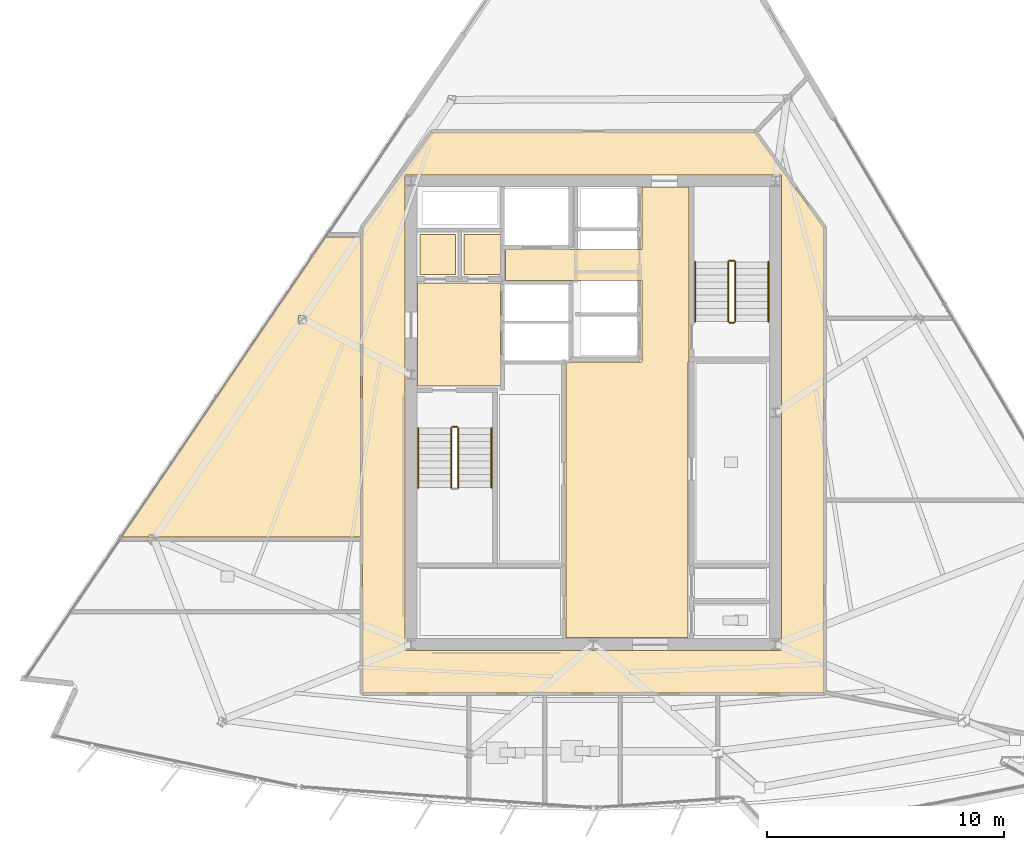
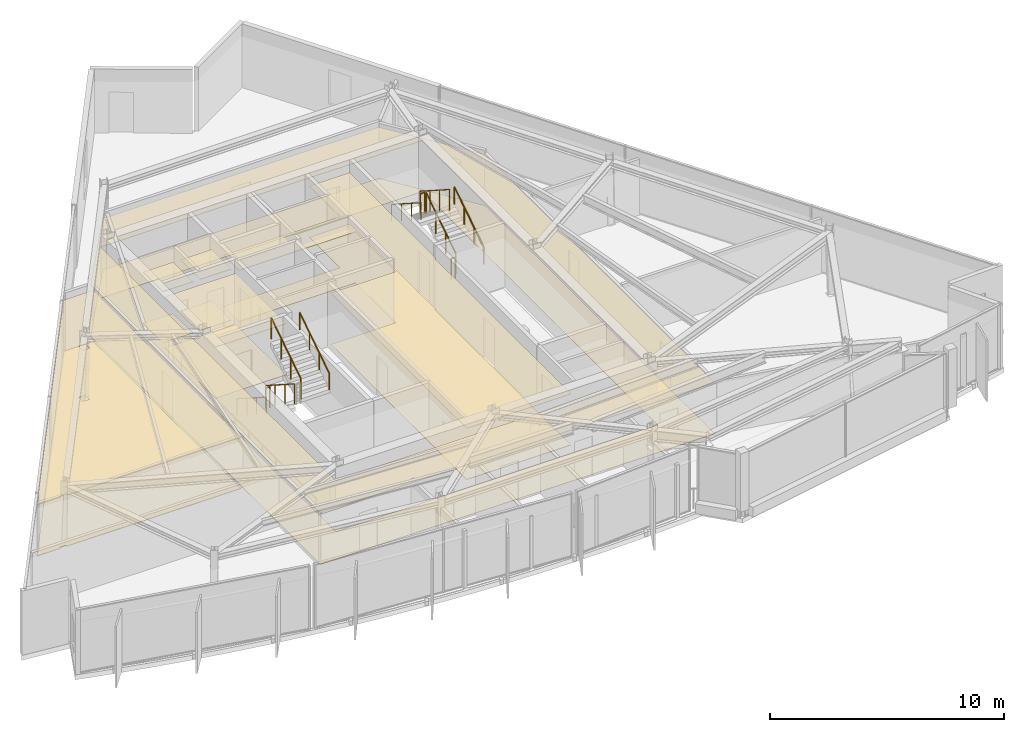
# One storey, part 10 of 12: 12 coverings, 11 railings.
"""IFC4 building model written with IfcOpenShell, lengths in metres."""

from ifc_helpers import new_model, si_unit, direction, frame, origin, origin_2d, place, context, subcontext, project, spatial, polyline, circle, outline, extrude, material, layer, layer_set, type_object, element, save


model = new_model("IFC4")

# Units and contexts
model_context = context("Model", 3, precision=1e-05, world=origin(), true_north=direction((0.0, 1.0)))
body_context = subcontext(model_context, "Body", "Model", "MODEL_VIEW")
ifc_project = project(units=[si_unit("LENGTHUNIT", "METRE"), si_unit("AREAUNIT", "SQUARE_METRE"), si_unit("VOLUMEUNIT", "CUBIC_METRE"), si_unit("PLANEANGLEUNIT", "RADIAN"), si_unit("MASSUNIT", "GRAM", prefix="KILO")], contexts=[model_context])

# Site, building, storey
site_placement = place(None, origin())
site = spatial("IfcSite", under=ifc_project, at=site_placement, CompositionType="ELEMENT")
building_placement = place(site_placement, origin())
building = spatial("IfcBuilding", under=site, at=building_placement, Name="Savorim Split Tower", CompositionType="ELEMENT")
storey_placement = place(building_placement, frame((0.0, 0.0, 261.60009765625)))
storey = spatial("IfcBuildingStorey", under=building, at=storey_placement, Name="L69", CompositionType="ELEMENT", Elevation=261.60009765625)

# Coverings
ifc_material_1 = material(Name="Mineral Fibre Acoustic Ceiling")
ifc_layer_1 = layer(ifc_material_1, 0.02490234375)
ifc_layer_set_1 = layer_set([ifc_layer_1], Name="COV-CEIL-25")
covering_type_1 = type_object("IfcCoveringType", Name="COV-CEIL-25", PredefinedType="CEILING", material=ifc_layer_set_1)
covering_1_placement = place(storey_placement, frame((0.0, 0.0, 2.669921875)))
element("IfcCovering", 1, at=covering_1_placement, inside=storey, type_object=covering_type_1, Name="L69 Firefighting Lift Lobby Acoustic Ceiling", PredefinedType="CEILING", context=body_context, shape_type="SweptSolid", body=[
    extrude(outline(polyline([(-7.429931640625, 5.8701171875), (-7.429931640625, 1.530029296875), (-3.929931640625, 1.530029296875), (-3.929931640625, 5.8701171875), (-7.429931640625, 5.8701171875)])), origin(), (0.0, 0.0, 1.0), 0.02490234375),
])
covering_2_placement = place(storey_placement, frame((0.0, 0.0, 2.669921875)))
element("IfcCovering", 2, at=covering_2_placement, inside=storey, type_object=covering_type_1, Name="L69 Electrical Riser Acoustic Ceiling", PredefinedType="CEILING", context=body_context, shape_type="SweptSolid", body=[
    extrude(outline(polyline([(-7.320068359375, 7.919921875), (-7.320068359375, 6.22998046875), (-5.830078125, 6.22998046875), (-5.830078125, 7.919921875), (-7.320068359375, 7.919921875)])), origin(), (0.0, 0.0, 1.0), 0.02490234375),
])
covering_3_placement = place(storey_placement, frame((0.0, 0.0, 2.669921875)))
element("IfcCovering", 3, at=covering_3_placement, inside=storey, type_object=covering_type_1, Name="L69 Telecom Riser Acoustic Ceiling", PredefinedType="CEILING", context=body_context, shape_type="SweptSolid", body=[
    extrude(outline(polyline([(-5.469970703125, 7.919921875), (-5.469970703125, 6.22998046875), (-3.929931640625, 6.22998046875), (-3.929931640625, 7.919921875), (-5.469970703125, 7.919921875)])), origin(), (0.0, 0.0, 1.0), 0.02490234375),
])
covering_4_placement = place(storey_placement, frame((0.0, 0.0, 2.669921875)))
element("IfcCovering", 4, at=covering_4_placement, inside=storey, type_object=covering_type_1, Name="L69 Lift Lobby Acoustic Ceiling", PredefinedType="CEILING", context=body_context, shape_type="SweptSolid", body=[
    extrude(outline(polyline([(2.050048828125, 2.550048828125), (-1.14990234375, 2.550048828125), (-1.14990234375, -9.10009765625), (4.0, -9.10009765625), (4.0, 2.550048828125), (4.050048828125, 2.550048828125), (4.050048828125, 5.97998046875), (4.050048828125, 7.300048828125), (4.050048828125, 9.929931640625), (2.050048828125, 9.929931640625), (2.050048828125, 7.300048828125), (-3.699951171875, 7.300048828125), (-3.699951171875, 5.97998046875), (2.050048828125, 5.97998046875), (2.050048828125, 2.550048828125)])), origin(), (0.0, 0.0, 1.0), 0.02490234375),
])
covering_5_placement = place(storey_placement, frame((0.0, 0.0, 2.669921875)))
element("IfcCovering", 5, at=covering_5_placement, inside=storey, type_object=covering_type_1, Name="L69 Corridor Acoustic Ceiling", PredefinedType="CEILING", context=body_context, shape_type="SweptSolid", body=[
    extrude(outline(polyline([(6.809326171875, 12.2490234375), (6.8046875, 12.249755859375), (6.800048828125, 12.25), (-6.800048828125, 12.25), (-6.8046875, 12.249755859375), (-6.809326171875, 12.2490234375), (-6.81396484375, 12.248046875), (-6.818359375, 12.24658203125), (-6.82275390625, 12.244384765625), (-6.826904296875, 12.2421875), (-6.830810546875, 12.239501953125), (-6.834228515625, 12.236328125), (-6.83740234375, 12.23291015625), (-6.840576171875, 12.229248046875), (-9.740478515625, 8.229248046875), (-9.743408203125, 8.22509765625), (-9.74560546875, 8.22021484375), (-9.74755859375, 8.21533203125), (-9.748779296875, 8.21044921875), (-9.749755859375, 8.205078125), (-9.75, 8.199951171875), (-9.75, -11.39990234375), (-9.749755859375, -11.40478515625), (-9.7490234375, -11.409912109375), (-9.747802734375, -11.41455078125), (-9.74609375, -11.419189453125), (-9.744140625, -11.423583984375), (-9.74169921875, -11.427734375), (-9.73876953125, -11.431640625), (-9.7353515625, -11.435302734375), (-9.731689453125, -11.438720703125), (-9.727783203125, -11.441650390625), (-9.7236328125, -11.444091796875), (-9.718994140625, -11.4462890625), (-9.714599609375, -11.44775390625), (-9.709716796875, -11.448974609375), (-9.704833984375, -11.44970703125), (-9.699951171875, -11.449951171875), (9.699951171875, -11.449951171875), (9.704833984375, -11.44970703125), (9.709716796875, -11.448974609375), (9.714599609375, -11.44775390625), (9.718994140625, -11.4462890625), (9.7236328125, -11.444091796875), (9.727783203125, -11.441650390625), (9.731689453125, -11.438720703125), (9.7353515625, -11.435302734375), (9.73876953125, -11.431640625), (9.74169921875, -11.427734375), (9.744140625, -11.423583984375), (9.74609375, -11.419189453125), (9.747802734375, -11.41455078125), (9.7490234375, -11.409912109375), (9.749755859375, -11.40478515625), (9.75, -11.39990234375), (9.75, 8.199951171875), (9.749755859375, 8.205078125), (9.748779296875, 8.21044921875), (9.74755859375, 8.21533203125), (9.74560546875, 8.22021484375), (9.743408203125, 8.22509765625), (9.740478515625, 8.229248046875), (6.840576171875, 12.229248046875), (6.83740234375, 12.23291015625), (6.834228515625, 12.236328125), (6.830810546875, 12.239501953125), (6.826904296875, 12.2421875), (6.82275390625, 12.244384765625), (6.818359375, 12.24658203125), (6.81396484375, 12.248046875), (6.809326171875, 12.2490234375)]), holes=[polyline([(-7.949951171875, 10.449951171875), (-7.949951171875, -9.64990234375), (7.949951171875, -9.64990234375), (7.949951171875, 10.449951171875), (-7.949951171875, 10.449951171875)])]), origin(), (0.0, 0.0, 1.0), 0.02490234375),
])
covering_6_placement = place(storey_placement, frame((0.0, 0.0, 2.669921875)))
element("IfcCovering", 6, at=covering_6_placement, inside=storey, type_object=covering_type_1, Name="L69 Co-Working Commons Acoustic Ceiling", PredefinedType="CEILING", context=body_context, shape_type="SweptSolid", body=[
    extrude(outline(polyline([(-18.448486328125, -4.775634765625), (-18.448486328125, -4.855712890625), (-9.840087890625, -4.855712890625), (-9.840087890625, 7.8154296875), (-11.32421875, 7.8154296875), (-19.944091796875, -4.855712890625), (-18.777587890625, -4.855712890625), (-18.777587890625, -4.775634765625), (-18.448486328125, -4.775634765625)]), holes=[polyline([(-12.4609375, 4.509765625), (-12.4609375, 4.15966796875), (-12.1318359375, 4.15966796875), (-12.1318359375, 4.509765625), (-12.4609375, 4.509765625)])]), origin(), (0.0, 0.0, 1.0), 0.02490234375),
])
ifc_material_2 = material(Name="Porcelain Stoneware Flooring", Category="masonry")
ifc_layer_2 = layer(ifc_material_2, 0.02001953125)
ifc_layer_set_2 = layer_set([ifc_layer_2], Name="COV-FLOR-20")
covering_type_2 = type_object("IfcCoveringType", Name="COV-FLOR-20", PredefinedType="FLOORING", material=ifc_layer_set_2)
covering_7_placement = place(storey_placement, origin())
element("IfcCovering", 7, at=covering_7_placement, inside=storey, type_object=covering_type_2, Name="L69 Firefighting Lift Lobby Porcelain Flooring", PredefinedType="FLOORING", context=body_context, shape_type="SweptSolid", body=[
    extrude(outline(polyline([(-7.429931640625, 5.8701171875), (-7.429931640625, 1.530029296875), (-3.929931640625, 1.530029296875), (-3.929931640625, 5.8701171875), (-7.429931640625, 5.8701171875)])), origin(), (0.0, 0.0, 1.0), 0.02001953125),
])
covering_8_placement = place(storey_placement, origin())
element("IfcCovering", 8, at=covering_8_placement, inside=storey, type_object=covering_type_2, Name="L69 Electrical Riser Porcelain Flooring", PredefinedType="FLOORING", context=body_context, shape_type="SweptSolid", body=[
    extrude(outline(polyline([(-7.320068359375, 7.919921875), (-7.320068359375, 6.22998046875), (-5.830078125, 6.22998046875), (-5.830078125, 7.919921875), (-7.320068359375, 7.919921875)])), origin(), (0.0, 0.0, 1.0), 0.02001953125),
])
covering_9_placement = place(storey_placement, origin())
element("IfcCovering", 9, at=covering_9_placement, inside=storey, type_object=covering_type_2, Name="L69 Telecom Riser Porcelain Flooring", PredefinedType="FLOORING", context=body_context, shape_type="SweptSolid", body=[
    extrude(outline(polyline([(-5.469970703125, 7.919921875), (-5.469970703125, 6.22998046875), (-3.929931640625, 6.22998046875), (-3.929931640625, 7.919921875), (-5.469970703125, 7.919921875)])), origin(), (0.0, 0.0, 1.0), 0.02001953125),
])
covering_10_placement = place(storey_placement, origin())
element("IfcCovering", 10, at=covering_10_placement, inside=storey, type_object=covering_type_2, Name="L69 Lift Lobby Porcelain Flooring", PredefinedType="FLOORING", context=body_context, shape_type="SweptSolid", body=[
    extrude(outline(polyline([(2.050048828125, 2.550048828125), (-1.14990234375, 2.550048828125), (-1.14990234375, -9.10009765625), (4.0, -9.10009765625), (4.0, 2.550048828125), (4.050048828125, 2.550048828125), (4.050048828125, 5.97998046875), (4.050048828125, 7.300048828125), (4.050048828125, 9.929931640625), (2.050048828125, 9.929931640625), (2.050048828125, 7.300048828125), (-3.699951171875, 7.300048828125), (-3.699951171875, 5.97998046875), (2.050048828125, 5.97998046875), (2.050048828125, 2.550048828125)])), origin(), (0.0, 0.0, 1.0), 0.02001953125),
])
covering_11_placement = place(storey_placement, origin())
element("IfcCovering", 11, at=covering_11_placement, inside=storey, type_object=covering_type_2, Name="L69 Corridor Porcelain Flooring", PredefinedType="FLOORING", context=body_context, shape_type="SweptSolid", body=[
    extrude(outline(polyline([(6.809326171875, 12.2490234375), (6.8046875, 12.249755859375), (6.800048828125, 12.25), (-6.800048828125, 12.25), (-6.8046875, 12.249755859375), (-6.809326171875, 12.2490234375), (-6.81396484375, 12.248046875), (-6.818359375, 12.24658203125), (-6.82275390625, 12.244384765625), (-6.826904296875, 12.2421875), (-6.830810546875, 12.239501953125), (-6.834228515625, 12.236328125), (-6.83740234375, 12.23291015625), (-6.840576171875, 12.229248046875), (-9.740478515625, 8.229248046875), (-9.743408203125, 8.22509765625), (-9.74560546875, 8.22021484375), (-9.74755859375, 8.21533203125), (-9.748779296875, 8.21044921875), (-9.749755859375, 8.205078125), (-9.75, 8.199951171875), (-9.75, -11.39990234375), (-9.749755859375, -11.40478515625), (-9.7490234375, -11.409912109375), (-9.747802734375, -11.41455078125), (-9.74609375, -11.419189453125), (-9.744140625, -11.423583984375), (-9.74169921875, -11.427734375), (-9.73876953125, -11.431640625), (-9.7353515625, -11.435302734375), (-9.731689453125, -11.438720703125), (-9.727783203125, -11.441650390625), (-9.7236328125, -11.444091796875), (-9.718994140625, -11.4462890625), (-9.714599609375, -11.44775390625), (-9.709716796875, -11.448974609375), (-9.704833984375, -11.44970703125), (-9.699951171875, -11.449951171875), (9.699951171875, -11.449951171875), (9.704833984375, -11.44970703125), (9.709716796875, -11.448974609375), (9.714599609375, -11.44775390625), (9.718994140625, -11.4462890625), (9.7236328125, -11.444091796875), (9.727783203125, -11.441650390625), (9.731689453125, -11.438720703125), (9.7353515625, -11.435302734375), (9.73876953125, -11.431640625), (9.74169921875, -11.427734375), (9.744140625, -11.423583984375), (9.74609375, -11.419189453125), (9.747802734375, -11.41455078125), (9.7490234375, -11.409912109375), (9.749755859375, -11.40478515625), (9.75, -11.39990234375), (9.75, 8.199951171875), (9.749755859375, 8.205078125), (9.748779296875, 8.21044921875), (9.74755859375, 8.21533203125), (9.74560546875, 8.22021484375), (9.743408203125, 8.22509765625), (9.740478515625, 8.229248046875), (6.840576171875, 12.229248046875), (6.83740234375, 12.23291015625), (6.834228515625, 12.236328125), (6.830810546875, 12.239501953125), (6.826904296875, 12.2421875), (6.82275390625, 12.244384765625), (6.818359375, 12.24658203125), (6.81396484375, 12.248046875), (6.809326171875, 12.2490234375)]), holes=[polyline([(-7.949951171875, 10.449951171875), (-7.949951171875, -9.64990234375), (7.949951171875, -9.64990234375), (7.949951171875, 10.449951171875), (-7.949951171875, 10.449951171875)])]), origin(), (0.0, 0.0, 1.0), 0.02001953125),
])
covering_12_placement = place(storey_placement, origin())
element("IfcCovering", 12, at=covering_12_placement, inside=storey, type_object=covering_type_2, Name="L69 Co-Working Commons Porcelain Flooring", PredefinedType="FLOORING", context=body_context, shape_type="SweptSolid", body=[
    extrude(outline(polyline([(-18.448486328125, -4.775634765625), (-18.448486328125, -4.855712890625), (-9.840087890625, -4.855712890625), (-9.840087890625, 7.8154296875), (-11.32421875, 7.8154296875), (-19.944091796875, -4.855712890625), (-18.777587890625, -4.855712890625), (-18.777587890625, -4.775634765625), (-18.448486328125, -4.775634765625)]), holes=[polyline([(-12.4609375, 4.509765625), (-12.4609375, 4.15966796875), (-12.1318359375, 4.15966796875), (-12.1318359375, 4.509765625), (-12.4609375, 4.509765625)])]), origin(), (0.0, 0.0, 1.0), 0.02001953125),
])

# Railings
ifc_material_3 = material(Name="Galvanised Painted Steel Balustrade", Category="steel")
railing_type_1 = type_object("IfcRailingType", Name="RLG-HR-900", PredefinedType="HANDRAIL", material=ifc_material_3)
railing_1_placement = place(storey_placement, frame((-7.39990234375, -0.25, 0.179931640625)))
element("IfcRailing", 13, at=railing_1_placement, inside=storey, type_object=railing_type_1, Name="L69 ST-1 stair handrail 1", PredefinedType="HANDRAIL", context=body_context, shape_type="SweptSolid", body=[
    extrude(circle(Radius=0.02392578125, at=origin_2d()), frame((0.0, 0.0, 0.8759765625), z_axis=(0.0, -0.841199657755, 0.540724639528), x_axis=(1.0, 0.0, 0.0)), (0.0, 0.0, 1.0), 2.995849609375),
    extrude(circle(Radius=0.02099609375, at=origin_2d()), origin(), (0.0, 0.0, 1.0), 0.851806640625),
    extrude(circle(Radius=0.02099609375, at=origin_2d()), frame((0.0, -0.840087890625, 0.5400390625)), (0.0, 0.0, 1.0), 0.851806640625),
    extrude(circle(Radius=0.02099609375, at=origin_2d()), frame((0.0, -1.679931640625, 1.079833984375)), (0.0, 0.0, 1.0), 0.851806640625),
    extrude(circle(Radius=0.02099609375, at=origin_2d()), frame((0.0, -2.52001953125, 1.619873046875)), (0.0, 0.0, 1.0), 0.851806640625),
])
for number, where, name in (
    (14, (-4.300048828125, -2.77001953125, 1.97998046875), "L69 ST-1 stair handrail 2"),
    (15, (7.39990234375, 4.25, 0.179931640625), "L69 ST-2 stair handrail 1"),
):
    element("IfcRailing", number, at=place(storey_placement, frame(where)), inside=storey, type_object=railing_type_1, Name=name, PredefinedType="HANDRAIL", context=body_context, shape_type="SweptSolid", body=[
        extrude(circle(Radius=0.02392578125, at=origin_2d()), frame((0.0, 0.0, 0.8759765625), z_axis=(0.0, 0.841199657755, 0.540724639528), x_axis=(-1.0, 0.0, 0.0)), (0.0, 0.0, 1.0), 2.995849609375),
        extrude(circle(Radius=0.02099609375, at=origin_2d()), origin(), (0.0, 0.0, 1.0), 0.851806640625),
        extrude(circle(Radius=0.02099609375, at=origin_2d()), frame((0.0, 0.840087890625, 0.5400390625)), (0.0, 0.0, 1.0), 0.851806640625),
        extrude(circle(Radius=0.02099609375, at=origin_2d()), frame((0.0, 1.679931640625, 1.079833984375)), (0.0, 0.0, 1.0), 0.851806640625),
        extrude(circle(Radius=0.02099609375, at=origin_2d()), frame((0.0, 2.52001953125, 1.619873046875)), (0.0, 0.0, 1.0), 0.851806640625),
    ])
railing_2_placement = place(storey_placement, frame((4.300048828125, 6.77001953125, 1.97998046875)))
element("IfcRailing", 16, at=railing_2_placement, inside=storey, type_object=railing_type_1, Name="L69 ST-2 stair handrail 2", PredefinedType="HANDRAIL", context=body_context, shape_type="SweptSolid", body=[
    extrude(circle(Radius=0.02392578125, at=origin_2d()), frame((0.0, 0.0, 0.8759765625), z_axis=(0.0, -0.841199657755, 0.540724639528), x_axis=(1.0, 0.0, 0.0)), (0.0, 0.0, 1.0), 2.995849609375),
    extrude(circle(Radius=0.02099609375, at=origin_2d()), origin(), (0.0, 0.0, 1.0), 0.851806640625),
    extrude(circle(Radius=0.02099609375, at=origin_2d()), frame((0.0, -0.840087890625, 0.5400390625)), (0.0, 0.0, 1.0), 0.851806640625),
    extrude(circle(Radius=0.02099609375, at=origin_2d()), frame((0.0, -1.679931640625, 1.079833984375)), (0.0, 0.0, 1.0), 0.851806640625),
    extrude(circle(Radius=0.02099609375, at=origin_2d()), frame((0.0, -2.52001953125, 1.619873046875)), (0.0, 0.0, 1.0), 0.851806640625),
])
railing_type_2 = type_object("IfcRailingType", Name="RLG-STG-1100", PredefinedType="BALUSTRADE", material=ifc_material_3)
railing_3_placement = place(storey_placement, frame((-6.0, -0.25, 0.179931640625)))
element("IfcRailing", 17, at=railing_3_placement, inside=storey, type_object=railing_type_2, Name="L69 ST-1 stair guard 1", PredefinedType="BALUSTRADE", context=body_context, shape_type="SweptSolid", body=[
    extrude(circle(Radius=0.02392578125, at=origin_2d()), frame((0.0, 0.0, 1.076171875), z_axis=(0.0, -0.841199657755, 0.540724639528), x_axis=(1.0, 0.0, 0.0)), (0.0, 0.0, 1.0), 2.995849609375),
    extrude(circle(Radius=0.02099609375, at=origin_2d()), origin(), (0.0, 0.0, 1.0), 1.052001953125),
    extrude(circle(Radius=0.02099609375, at=origin_2d()), frame((0.0, -0.840087890625, 0.5400390625)), (0.0, 0.0, 1.0), 1.052001953125),
    extrude(circle(Radius=0.02099609375, at=origin_2d()), frame((0.0, -1.679931640625, 1.079833984375)), (0.0, 0.0, 1.0), 1.052001953125),
    extrude(circle(Radius=0.02099609375, at=origin_2d()), frame((0.0, -2.52001953125, 1.619873046875)), (0.0, 0.0, 1.0), 1.052001953125),
])
railing_4_placement = place(storey_placement, frame((-5.699951171875, -2.77001953125, 1.97998046875)))
element("IfcRailing", 18, at=railing_4_placement, inside=storey, type_object=railing_type_2, Name="L69 ST-1 stair guard 3", PredefinedType="BALUSTRADE", context=body_context, shape_type="SweptSolid", body=[
    extrude(circle(Radius=0.02392578125, at=origin_2d()), frame((0.0, 0.0, 1.076171875), z_axis=(0.0, 0.841199657755, 0.540724639528), x_axis=(-1.0, 0.0, 0.0)), (0.0, 0.0, 1.0), 2.995849609375),
    extrude(circle(Radius=0.02099609375, at=origin_2d()), origin(), (0.0, 0.0, 1.0), 1.052001953125),
    extrude(circle(Radius=0.02099609375, at=origin_2d()), frame((0.0, 0.840087890625, 0.5400390625)), (0.0, 0.0, 1.0), 1.052001953125),
    extrude(circle(Radius=0.02099609375, at=origin_2d()), frame((0.0, 1.679931640625, 1.079833984375)), (0.0, 0.0, 1.0), 1.052001953125),
    extrude(circle(Radius=0.02099609375, at=origin_2d()), frame((0.0, 2.52001953125, 1.619873046875)), (0.0, 0.0, 1.0), 1.052001953125),
])
railing_5_placement = place(storey_placement, frame((-5.949951171875, -0.199951171875, 0.0)))
element("IfcRailing", 19, at=railing_5_placement, inside=storey, type_object=railing_type_2, Name="L69 ST-1 stair guard 4", PredefinedType="BALUSTRADE", context=body_context, shape_type="SweptSolid", body=[
    extrude(circle(Radius=0.02392578125, at=origin_2d()), frame((0.0, 0.0, 1.076171875), z_axis=(1.0, 0.0, 0.0), x_axis=(0.0, 1.0, 0.0)), (0.0, 0.0, 1.0), 0.199951171875),
    extrude(circle(Radius=0.02099609375, at=origin_2d()), origin(), (0.0, 0.0, 1.0), 1.052001953125),
    extrude(circle(Radius=0.02099609375, at=origin_2d()), frame((0.199951171875, 0.0, 0.0)), (0.0, 0.0, 1.0), 1.052001953125),
])
railing_6_placement = place(storey_placement, frame((6.0, 4.25, 0.179931640625)))
element("IfcRailing", 20, at=railing_6_placement, inside=storey, type_object=railing_type_2, Name="L69 ST-2 stair guard 1", PredefinedType="BALUSTRADE", context=body_context, shape_type="SweptSolid", body=[
    extrude(circle(Radius=0.02392578125, at=origin_2d()), frame((0.0, 0.0, 1.076171875), z_axis=(0.0, 0.841199657755, 0.540724639528), x_axis=(-1.0, 0.0, 0.0)), (0.0, 0.0, 1.0), 2.995849609375),
    extrude(circle(Radius=0.02099609375, at=origin_2d()), origin(), (0.0, 0.0, 1.0), 1.052001953125),
    extrude(circle(Radius=0.02099609375, at=origin_2d()), frame((0.0, 0.840087890625, 0.5400390625)), (0.0, 0.0, 1.0), 1.052001953125),
    extrude(circle(Radius=0.02099609375, at=origin_2d()), frame((0.0, 1.679931640625, 1.079833984375)), (0.0, 0.0, 1.0), 1.052001953125),
    extrude(circle(Radius=0.02099609375, at=origin_2d()), frame((0.0, 2.52001953125, 1.619873046875)), (0.0, 0.0, 1.0), 1.052001953125),
])
railing_7_placement = place(storey_placement, frame((5.949951171875, 6.820068359375, 1.7998046875)))
element("IfcRailing", 21, at=railing_7_placement, inside=storey, type_object=railing_type_2, Name="L69 ST-2 stair guard 2", PredefinedType="BALUSTRADE", context=body_context, shape_type="SweptSolid", body=[
    extrude(circle(Radius=0.02392578125, at=origin_2d()), frame((0.0, 0.0, 1.076171875), z_axis=(-1.0, 0.0, 0.0), x_axis=(0.0, -1.0, 0.0)), (0.0, 0.0, 1.0), 0.199951171875),
    extrude(circle(Radius=0.02099609375, at=origin_2d()), origin(), (0.0, 0.0, 1.0), 1.052001953125),
    extrude(circle(Radius=0.02099609375, at=origin_2d()), frame((-0.199951171875, 0.0, 0.0)), (0.0, 0.0, 1.0), 1.052001953125),
])
railing_8_placement = place(storey_placement, frame((5.699951171875, 6.77001953125, 1.97998046875)))
element("IfcRailing", 22, at=railing_8_placement, inside=storey, type_object=railing_type_2, Name="L69 ST-2 stair guard 3", PredefinedType="BALUSTRADE", context=body_context, shape_type="SweptSolid", body=[
    extrude(circle(Radius=0.02392578125, at=origin_2d()), frame((0.0, 0.0, 1.076171875), z_axis=(0.0, -0.841199657755, 0.540724639528), x_axis=(1.0, 0.0, 0.0)), (0.0, 0.0, 1.0), 2.995849609375),
    extrude(circle(Radius=0.02099609375, at=origin_2d()), origin(), (0.0, 0.0, 1.0), 1.052001953125),
    extrude(circle(Radius=0.02099609375, at=origin_2d()), frame((0.0, -0.840087890625, 0.5400390625)), (0.0, 0.0, 1.0), 1.052001953125),
    extrude(circle(Radius=0.02099609375, at=origin_2d()), frame((0.0, -1.679931640625, 1.079833984375)), (0.0, 0.0, 1.0), 1.052001953125),
    extrude(circle(Radius=0.02099609375, at=origin_2d()), frame((0.0, -2.52001953125, 1.619873046875)), (0.0, 0.0, 1.0), 1.052001953125),
])
railing_9_placement = place(storey_placement, frame((5.949951171875, 4.199951171875, 0.0)))
element("IfcRailing", 23, at=railing_9_placement, inside=storey, type_object=railing_type_2, Name="L69 ST-2 stair guard 4", PredefinedType="BALUSTRADE", context=body_context, shape_type="SweptSolid", body=[
    extrude(circle(Radius=0.02392578125, at=origin_2d()), frame((0.0, 0.0, 1.076171875), z_axis=(-1.0, 0.0, 0.0), x_axis=(0.0, -1.0, 0.0)), (0.0, 0.0, 1.0), 0.199951171875),
    extrude(circle(Radius=0.02099609375, at=origin_2d()), origin(), (0.0, 0.0, 1.0), 1.052001953125),
    extrude(circle(Radius=0.02099609375, at=origin_2d()), frame((-0.199951171875, 0.0, 0.0)), (0.0, 0.0, 1.0), 1.052001953125),
])

save(model, "model.ifc")
